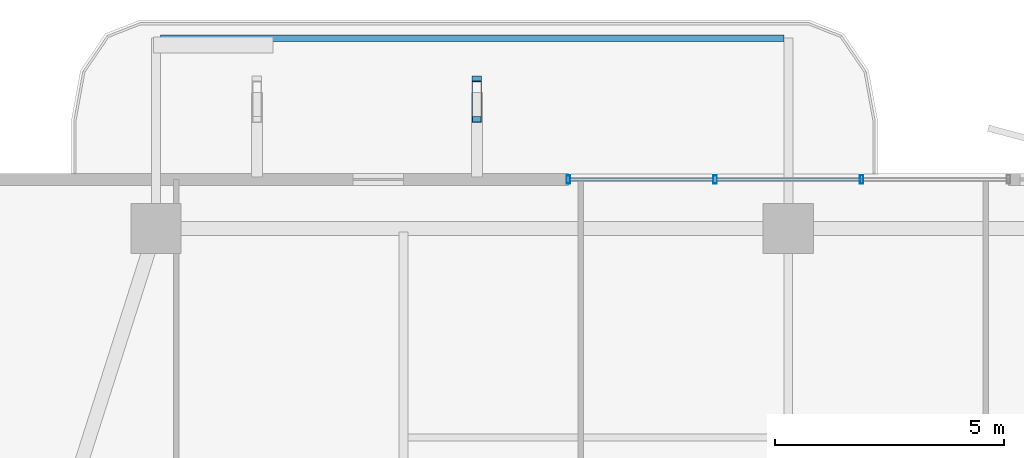
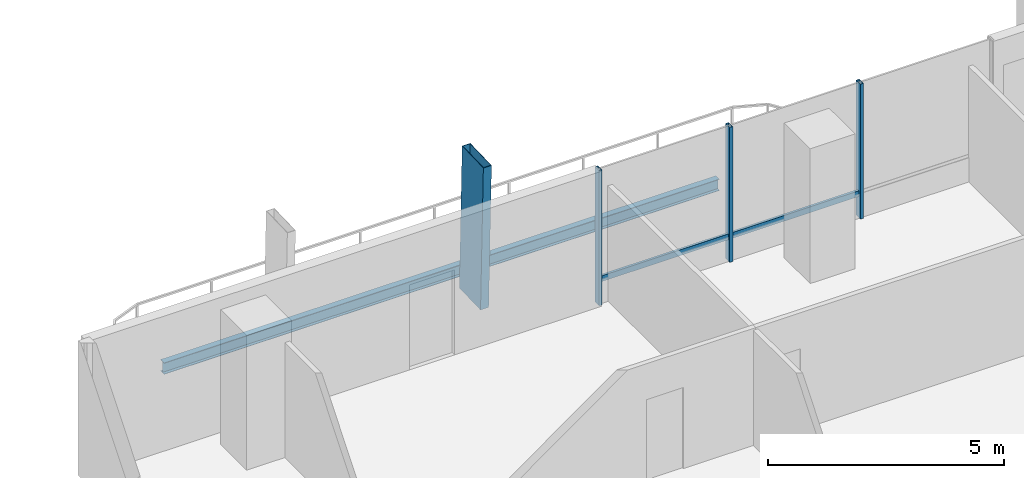
# One storey, part 13 of 24: 6 members, 1 beam, 1 element without a shape of its own.
"""IFC4 building model written with IfcOpenShell, lengths in metres."""

from ifc_helpers import new_model, si_unit, direction, frame, origin, origin_2d, place, context, subcontext, project, spatial, hollow_rectangle, i_section, extrude, material, layer, layer_set, material_profile, profile_set, type_object, element, aggregate, save


model = new_model("IFC4")

# Units and contexts
model_context = context("Model", 3, precision=1e-05, world=origin(), true_north=direction((0.0, 1.0)))
body_context = subcontext(model_context, "Body", "Model", "MODEL_VIEW")
ifc_project = project(units=[si_unit("LENGTHUNIT", "METRE"), si_unit("AREAUNIT", "SQUARE_METRE"), si_unit("VOLUMEUNIT", "CUBIC_METRE"), si_unit("PLANEANGLEUNIT", "RADIAN"), si_unit("MASSUNIT", "GRAM", prefix="KILO")], contexts=[model_context])

# Site, building, storey
site_placement = place(None, origin())
site = spatial("IfcSite", under=ifc_project, at=site_placement, CompositionType="ELEMENT")
building_placement = place(site_placement, origin())
building = spatial("IfcBuilding", under=site, at=building_placement, Name="Belovzor Exchange Tower", CompositionType="ELEMENT")
storey_placement = place(building_placement, frame((0.0, 0.0, 145.800048828125)))
storey = spatial("IfcBuildingStorey", under=building, at=storey_placement, Name="L35", CompositionType="ELEMENT", Elevation=145.800048828125)

# Beam
ifc_material_1 = material(Name="Steel S355", Category="steel")
ifc_material_profile_1 = material_profile(ifc_material_1, i_section(OverallWidth=0.14990234375, OverallDepth=0.300048828125, WebThickness=0.007080078125, FlangeThickness=0.0107421875, at=origin_2d()))
ifc_profile_set_1 = profile_set([ifc_material_profile_1], Name="Steel S355")
beam_type = type_object("IfcBeamType", Name="Planted Balcony Fascia Edge Beam IPE 300", PredefinedType="BEAM", material=ifc_profile_set_1)
beam_placement = place(storey_placement, frame((28.699951171875, 56.052978515625, -0.405029296875), z_axis=(-1.0, 0.0, 0.0), x_axis=(0.0, -1.0, 0.0)))
element("IfcBeam", 1, at=beam_placement, inside=storey, type_object=beam_type, Name="BC-300 Planted Balcony Fascia Edge Beam IPE 300", PredefinedType="BEAM", context=body_context, shape_type="SweptSolid", body=[
    extrude(i_section(OverallWidth=0.14990234375, OverallDepth=0.300048828125, WebThickness=0.007080078125, FlangeThickness=0.0107421875, at=origin_2d()), origin(), (0.0, 0.0, 1.0), 13.599853515625),
])

# Member
ifc_material_2 = material(Name="Extruded Architectural Terracotta on Steel S355 Carrier", Category="masonry")
ifc_material_profile_2 = material_profile(ifc_material_2, hollow_rectangle(XDim=0.199951171875, YDim=0.89990234375, WallThickness=0.011962890625, at=origin_2d()))
ifc_profile_set_2 = profile_set([ifc_material_profile_2], Name="Extruded Architectural Terracotta on Steel S355 Carrier")
member_type_1 = type_object("IfcMemberType", Name="Sweeping Terracotta Baguette Fin Assembly 1250", PredefinedType="USERDEFINED", material=ifc_profile_set_2)
member_1_placement = place(storey_placement, frame((22.0, 54.782958984375, -0.255126953125), z_axis=(0.0, -0.031689805028, 0.999497752002), x_axis=(1.0, 0.0, 0.0)))
element("IfcMember", 2, at=member_1_placement, inside=storey, type_object=member_type_1, Name="FIN-TC125 Terracotta Facade Fin L35 N2", ObjectType="FIN", PredefinedType="USERDEFINED", context=body_context, shape_type="SweptSolid", body=[
    extrude(hollow_rectangle(XDim=0.199951171875, YDim=0.89990234375, WallThickness=0.011962890625, at=origin_2d()), origin(), (0.0, 0.0, 1.0), 3.751953125),
])

# Curtain wall, members
ifc_material_3 = material(Name="Anodised Aluminium Framing", Category="aluminium")
ifc_layer = layer(ifc_material_3, 0.179931640625)
ifc_layer_set = layer_set([ifc_layer], Name="Anodised Aluminium Framing")
curtain_wall_type = type_object("IfcCurtainWallType", Name="Recessed Loggia Low-Iron Triple-Glazed Curtain Wall", PredefinedType="NOTDEFINED", material=ifc_layer_set)
curtain_wall_placement = place(storey_placement, origin())
curtain_wall = element("IfcCurtainWall", 3, at=curtain_wall_placement, inside=storey, type_object=curtain_wall_type, Name="CW3 Recessed Loggia Low-Iron Triple-Glazed Curtain Wall L35", PredefinedType="NOTDEFINED")
ifc_material_4 = material(Name="Steel S355", Category="steel")
ifc_material_profile_3 = material_profile(ifc_material_4, hollow_rectangle(XDim=0.074951171875, YDim=0.179931640625, WallThickness=0.0048828125, at=origin_2d()))
ifc_profile_set_3 = profile_set([ifc_material_profile_3], Name="Steel S355")
member_type_2 = type_object("IfcMemberType", Name="Thermally Broken Curtain Wall Mullion 180x75", PredefinedType="MULLION", material=ifc_profile_set_3)
member_2_placement = place(storey_placement, frame((24.0, 52.969970703125, 0.0), z_axis=(0.0, 0.0, 1.0), x_axis=(1.0, 0.0, 0.0)))
member_2 = element("IfcMember", 4, at=member_2_placement, type_object=member_type_2, Name="CW-M180 Curtain Wall Mullion 1", PredefinedType="MULLION", context=body_context, shape_type="SweptSolid", body=[
    extrude(hollow_rectangle(XDim=0.074951171875, YDim=0.179931640625, WallThickness=0.0048828125, at=origin_2d()), origin(), (0.0, 0.0, 1.0), 3.494873046875),
])
member_3_placement = place(storey_placement, frame((27.199951171875, 52.969970703125, 0.0), z_axis=(0.0, 0.0, 1.0), x_axis=(1.0, 0.0, 0.0)))
member_3 = element("IfcMember", 5, at=member_3_placement, type_object=member_type_2, Name="CW-M180 Curtain Wall Mullion 2", PredefinedType="MULLION", context=body_context, shape_type="SweptSolid", body=[
    extrude(hollow_rectangle(XDim=0.074951171875, YDim=0.179931640625, WallThickness=0.0048828125, at=origin_2d()), origin(), (0.0, 0.0, 1.0), 3.494873046875),
])
member_4_placement = place(storey_placement, frame((30.39990234375, 52.969970703125, 0.0), z_axis=(0.0, 0.0, 1.0), x_axis=(1.0, 0.0, 0.0)))
member_4 = element("IfcMember", 6, at=member_4_placement, type_object=member_type_2, Name="CW-M180 Curtain Wall Mullion 3", PredefinedType="MULLION", context=body_context, shape_type="SweptSolid", body=[
    extrude(hollow_rectangle(XDim=0.074951171875, YDim=0.179931640625, WallThickness=0.0048828125, at=origin_2d()), origin(), (0.0, 0.0, 1.0), 3.494873046875),
])
ifc_material_5 = material(Name="Steel S355", Category="steel")
ifc_material_profile_4 = material_profile(ifc_material_5, hollow_rectangle(XDim=0.06005859375, YDim=0.14990234375, WallThickness=0.00390625, at=origin_2d()))
ifc_profile_set_4 = profile_set([ifc_material_profile_4], Name="Steel S355")
member_type_3 = type_object("IfcMemberType", Name="Thermally Broken Curtain Wall Transom 150x60", PredefinedType="USERDEFINED", material=ifc_profile_set_4)
member_5_placement = place(storey_placement, frame((24.008056640625, 52.969970703125, 0.62890625), z_axis=(1.0, 0.0, 0.0), x_axis=(0.0, 1.0, 0.0)))
member_5 = element("IfcMember", 7, at=member_5_placement, type_object=member_type_3, Name="CW-T150 Curtain Wall Transom 1", ObjectType="TRANSOM", PredefinedType="USERDEFINED", context=body_context, shape_type="SweptSolid", body=[
    extrude(hollow_rectangle(XDim=0.06005859375, YDim=0.14990234375, WallThickness=0.00390625, at=origin_2d()), origin(), (0.0, 0.0, 1.0), 3.183837890625),
])
member_6_placement = place(storey_placement, frame((27.2080078125, 52.969970703125, 0.62890625), z_axis=(1.0, 0.0, 0.0), x_axis=(0.0, 1.0, 0.0)))
member_6 = element("IfcMember", 8, at=member_6_placement, type_object=member_type_3, Name="CW-T150 Curtain Wall Transom 2", ObjectType="TRANSOM", PredefinedType="USERDEFINED", context=body_context, shape_type="SweptSolid", body=[
    extrude(hollow_rectangle(XDim=0.06005859375, YDim=0.14990234375, WallThickness=0.00390625, at=origin_2d()), origin(), (0.0, 0.0, 1.0), 3.18408203125),
])
aggregate(curtain_wall, [member_2, member_3, member_4, member_5, member_6])

save(model, "model.ifc")
